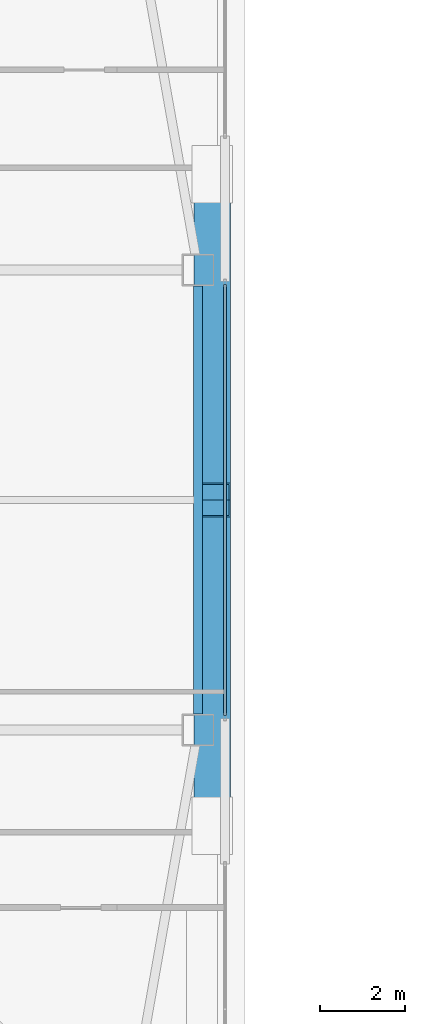
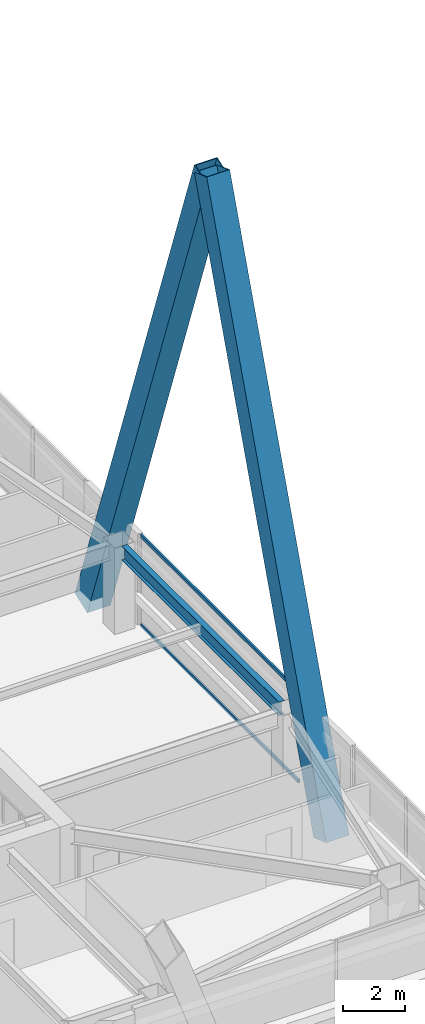
# One storey, part 14 of 55: 4 members, 1 beam, 1 element without a shape of its own.
"""IFC4 building model written with IfcOpenShell, lengths in metres."""

from ifc_helpers import new_model, si_unit, direction, frame, origin, origin_2d, place, context, subcontext, project, spatial, hollow_rectangle, i_section, extrude, material, material_profile, profile_set, type_object, element, aggregate, save


model = new_model("IFC4")

# Units and contexts
model_context = context("Model", 3, precision=1e-05, world=origin(), true_north=direction((0.0, 1.0)))
body_context = subcontext(model_context, "Body", "Model", "MODEL_VIEW")
ifc_project = project(units=[si_unit("LENGTHUNIT", "METRE"), si_unit("AREAUNIT", "SQUARE_METRE"), si_unit("VOLUMEUNIT", "CUBIC_METRE"), si_unit("PLANEANGLEUNIT", "RADIAN"), si_unit("MASSUNIT", "GRAM", prefix="KILO")], contexts=[model_context])

# Site, building, storey
site_placement = place(None, origin())
site = spatial("IfcSite", under=ifc_project, at=site_placement, CompositionType="ELEMENT")
building_placement = place(site_placement, origin())
building = spatial("IfcBuilding", under=site, at=building_placement, Name="Tashvorn Skyway Center", CompositionType="ELEMENT")
storey_placement = place(building_placement, frame((0.0, 0.0, 178.300048828125)))
storey = spatial("IfcBuildingStorey", under=building, at=storey_placement, Name="L48", CompositionType="ELEMENT", Elevation=178.300048828125)

# Beam
ifc_material_1 = material(Name="Steel ASTM A992 Grade 50", Category="steel")
ifc_material_profile_1 = material_profile(ifc_material_1, i_section(OverallWidth=0.2109375, OverallDepth=0.5390625, WebThickness=0.01171875, FlangeThickness=0.018798828125, at=origin_2d()), Name="W21X73")
ifc_profile_set_1 = profile_set([ifc_material_profile_1], Name="Steel ASTM A992 Grade 50")
beam_type = type_object("IfcBeamType", Name="BM-SPANDREL-W21X73", PredefinedType="SPANDREL", material=ifc_profile_set_1)
beam_placement = place(storey_placement, frame((59.050048828125, 26.969970703125, 3.100341796875), z_axis=(0.0, 1.0, 0.0), x_axis=(-1.0, 0.0, 0.0)))
element("IfcBeam", 1, at=beam_placement, inside=storey, type_object=beam_type, Name="Tower 1 L48 Spandrel Beam 05", PredefinedType="SPANDREL", context=body_context, shape_type="SweptSolid", body=[
    extrude(i_section(OverallWidth=0.2109375, OverallDepth=0.5390625, WebThickness=0.01171875, FlangeThickness=0.018798828125, at=origin_2d()), origin(), (0.0, 0.0, 1.0), 10.06005859375),
])

# Curtain wall, members
ifc_material_2 = material(Name="Thermally broken bronze-anodized aluminium 6063-T6", Category="aluminium")
curtain_wall_type = type_object("IfcCurtainWallType", Name="CW-CW-Z4", PredefinedType="NOTDEFINED", material=ifc_material_2)
curtain_wall_placement = place(storey_placement, origin())
curtain_wall = element("IfcCurtainWall", 2, at=curtain_wall_placement, inside=storey, type_object=curtain_wall_type, Name="Tower 1 L48 East Unitised Curtain Wall Glazing Group 2", PredefinedType="NOTDEFINED")
ifc_material_profile_2 = material_profile(ifc_material_2, hollow_rectangle(XDim=0.070068359375, YDim=0.1298828125, WallThickness=0.00390625, at=origin_2d()), Name="ALU-TRAN-70x130")
ifc_profile_set_2 = profile_set([ifc_material_profile_2], Name="Thermally broken bronze-anodized aluminium 6063-T6")
member_type_1 = type_object("IfcMemberType", Name="CWT-CW-Z4", PredefinedType="USERDEFINED", material=ifc_profile_set_2)
member_1_placement = place(storey_placement, frame((59.679931640625, 37.056640625, 0.034912109375), z_axis=(0.0, -1.0, 0.0), x_axis=(1.0, 0.0, 0.0)))
member_1 = element("IfcMember", 3, at=member_1_placement, type_object=member_type_1, Name="CW-Z4 transom 1.1", ObjectType="TRANSOM", PredefinedType="USERDEFINED", context=body_context, shape_type="SweptSolid", body=[
    extrude(hollow_rectangle(XDim=0.070068359375, YDim=0.1298828125, WallThickness=0.00390625, at=origin_2d()), origin(), (0.0, 0.0, 1.0), 10.11328125),
])
member_2_placement = place(storey_placement, frame((59.679931640625, 37.056640625, 3.514892578125), z_axis=(0.0, -1.0, 0.0), x_axis=(1.0, 0.0, 0.0)))
member_2 = element("IfcMember", 4, at=member_2_placement, type_object=member_type_1, Name="CW-Z4 transom 1.2", ObjectType="TRANSOM", PredefinedType="USERDEFINED", context=body_context, shape_type="SweptSolid", body=[
    extrude(hollow_rectangle(XDim=0.070068359375, YDim=0.1298828125, WallThickness=0.00390625, at=origin_2d()), origin(), (0.0, 0.0, 1.0), 10.11328125),
])
aggregate(curtain_wall, [member_1, member_2])

# Members
ifc_material_3 = material(Name="Steel ASTM A572 Grade 50", Category="steel")
ifc_material_profile_3 = material_profile(ifc_material_3, hollow_rectangle(XDim=0.85009765625, YDim=0.85009765625, WallThickness=0.034912109375, at=origin_2d()), Name="BOX850x850x35")
ifc_profile_set_3 = profile_set([ifc_material_profile_3], Name="Steel ASTM A572 Grade 50")
member_type_2 = type_object("IfcMemberType", Name="MEM-MB-850", PredefinedType="BRACE", material=ifc_profile_set_3)
for number, where, z_axis, x_axis, name in (
    (5, (59.3798828125, 24.35009765625, -0.449951171875), (0.0, 0.336612679687, 0.941643193505), (-1.0, 0.0, 0.0), "Tower 1 Zone 4 E Chevron Mega-Brace L2"),
    (6, (59.3798828125, 39.64990234375, -0.449951171875), (0.0, -0.336612679687, 0.941643193505), (1.0, 0.0, 0.0), "Tower 1 Zone 4 E Chevron Mega-Brace R2"),
):
    element("IfcMember", number, at=place(storey_placement, frame(where, z_axis=z_axis, x_axis=x_axis)), inside=storey, type_object=member_type_2, Name=name, PredefinedType="BRACE", context=body_context, shape_type="SweptSolid", body=[
        extrude(hollow_rectangle(XDim=0.85009765625, YDim=0.85009765625, WallThickness=0.034912109375, at=origin_2d()), origin(), (0.0, 0.0, 1.0), 22.72607421875),
    ])

save(model, "model.ifc")
